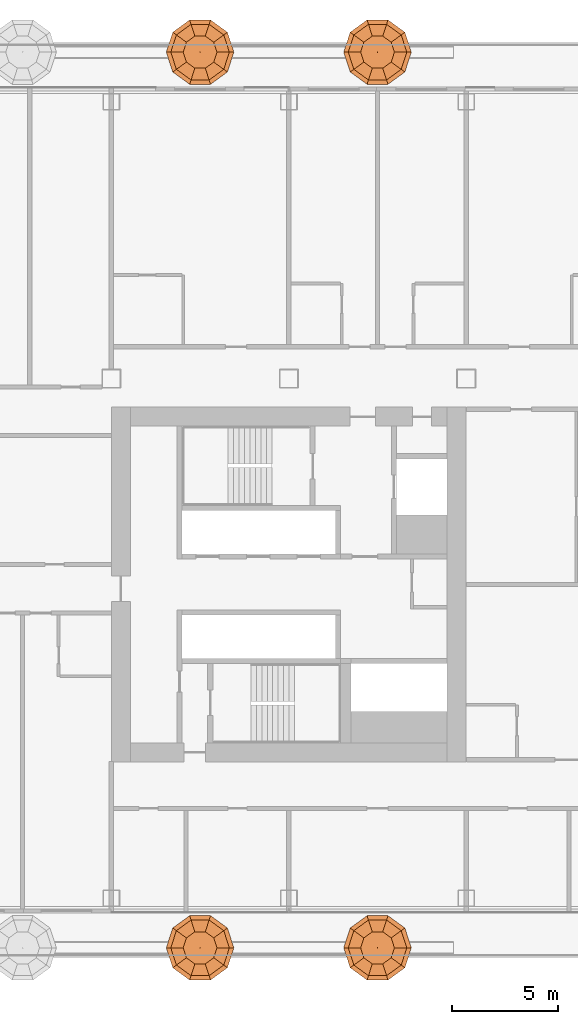
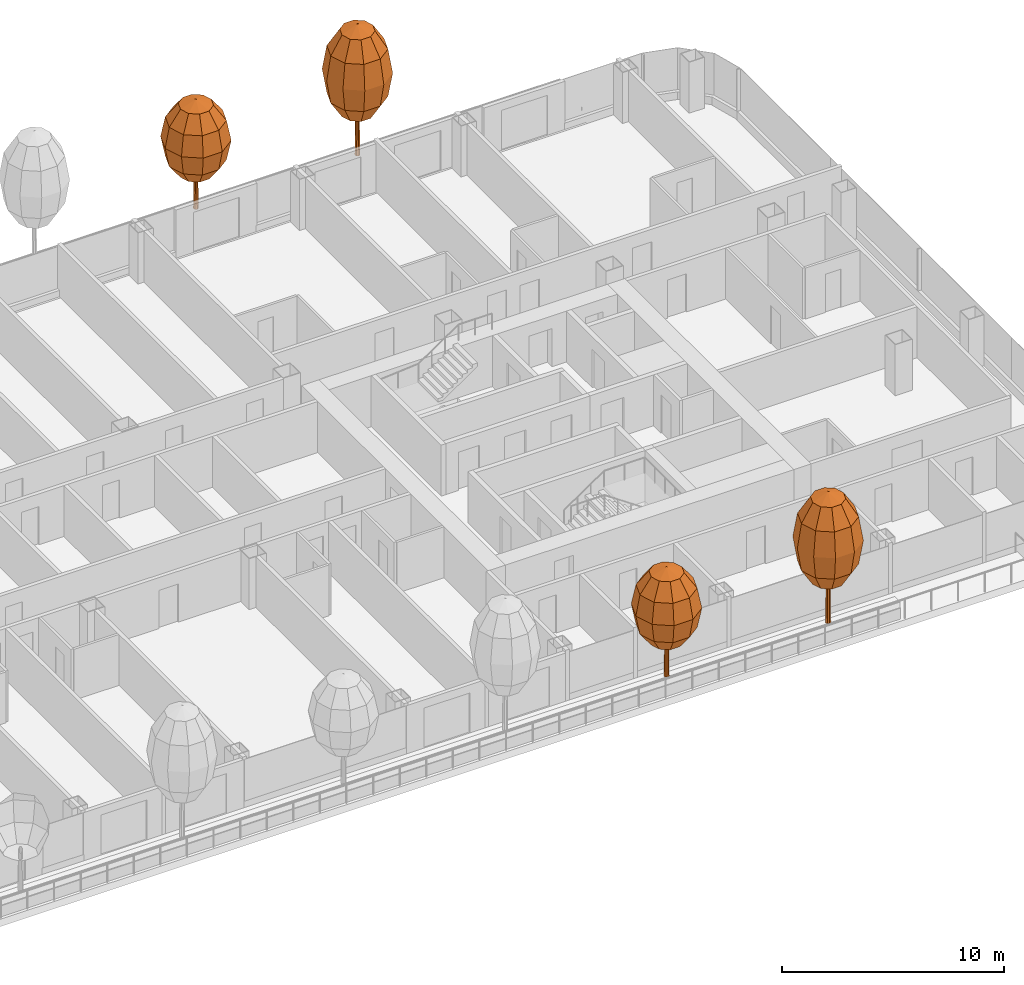
# One storey, part 33 of 33: 4 geographic elements.
"""IFC4 building model written with IfcOpenShell, lengths in metres."""

import ifcopenshell
import ifcopenshell.guid

model = None  # the IFC model being written
_history = None  # IfcOwnerHistory: only IFC2X3 demands one
_inside = {}  # id of a spatial element -> (the spatial element, [elements in it])
_under = {}  # id of a project, library or spatial element -> (it, [spatial elements below it])
_declared = {}  # id of a project -> (the project, [libraries it declares])
_typed = {}  # id of a type object -> (the type object, [elements of that type])
_made_of = {}  # id of a material, layer set ... -> (it, [elements and type objects made of it])


def new_model(schema):
    """Start an empty IFC model of exactly this schema.

    Asked for "IFC4X3", IfcOpenShell would pick the latest addendum, in which some entities
    have other attributes; the version numbers below select the first issue.
    IFC2X3 requires an IfcOwnerHistory on every rooted entity: one is made here for all.
    """
    global model, _history
    if schema == "IFC4X3":
        model = ifcopenshell.file(schema_version=(4, 3, 0, 0))
    else:
        model = ifcopenshell.file(schema=schema)
    _inside.clear()
    _under.clear()
    _declared.clear()
    _typed.clear()
    _made_of.clear()
    _history = None
    if model.schema == "IFC2X3":
        org = make("IfcOrganization", Name="unknown")
        user = make(
            "IfcPersonAndOrganization",
            ThePerson=make("IfcPerson", FamilyName="unknown"),
            TheOrganization=org,
        )
        app = make(
            "IfcApplication",
            ApplicationDeveloper=org,
            Version="unknown",
            ApplicationFullName="unknown",
            ApplicationIdentifier="unknown",
        )
        _history = make(
            "IfcOwnerHistory",
            OwningUser=user,
            OwningApplication=app,
            ChangeAction="ADDED",
            CreationDate=0,
        )
    return model


def make(cls, **values):
    """One entity of the class cls with the attributes given. An attribute that is None is left unset."""
    return model.create_entity(
        cls, **{name: value for name, value in values.items() if value is not None}
    )


def rooted(cls, **values):
    """An entity with a GlobalId (a new one), such as an element, a storey or a relation."""
    return make(cls, GlobalId=ifcopenshell.guid.new(), OwnerHistory=_history, **values)


def si_unit(unit_type, name, prefix=None):
    """IfcSIUnit, for example si_unit("LENGTHUNIT", "METRE", prefix="MILLI")."""
    return make("IfcSIUnit", UnitType=unit_type, Prefix=prefix, Name=name)


def assignment(units):
    """IfcUnitAssignment: the units of a project."""
    return None if units is None else make("IfcUnitAssignment", Units=units)


def point(xyz):
    """IfcCartesianPoint."""
    return None if xyz is None else make("IfcCartesianPoint", Coordinates=xyz)


def direction(xyz):
    """IfcDirection."""
    return None if xyz is None else make("IfcDirection", DirectionRatios=xyz)


def frame(location, z_axis=None, x_axis=None):
    """IfcAxis2Placement3D, a coordinate frame: its origin and axes. An axis left out is left unset."""
    return make(
        "IfcAxis2Placement3D",
        Location=point(location),
        Axis=direction(z_axis),
        RefDirection=direction(x_axis),
    )


def origin():
    """The frame at (0, 0, 0) with its axes left unset."""
    return frame((0.0, 0.0, 0.0))


def place(relative_to, where):
    """IfcLocalPlacement: puts the frame where relative to a parent placement (None: the world)."""
    return make(
        "IfcLocalPlacement", PlacementRelTo=relative_to, RelativePlacement=where
    )


def context(
    kind, dimensions, precision=None, world=None, true_north=None, identifier=None
):
    """IfcGeometricRepresentationContext, for example the 3D "Model" context."""
    return make(
        "IfcGeometricRepresentationContext",
        ContextIdentifier=identifier,
        ContextType=kind,
        CoordinateSpaceDimension=dimensions,
        Precision=precision,
        WorldCoordinateSystem=world,
        TrueNorth=true_north,
    )


def subcontext(parent, identifier, kind, view, scale=None):
    """IfcGeometricRepresentationSubContext, for example "Body" below "Model"."""
    return make(
        "IfcGeometricRepresentationSubContext",
        ContextIdentifier=identifier,
        ContextType=kind,
        ParentContext=parent,
        TargetScale=scale,
        TargetView=view,
    )


def project(units=None, contexts=None):
    """IfcProject with its units and contexts."""
    return rooted(
        "IfcProject",
        Name="project",
        RepresentationContexts=contexts,
        UnitsInContext=assignment(units),
    )


def spatial(cls, under=None, at=None, **own):
    """A site, building, storey or space (cls), placed at a placement, below another one or the project."""
    s = rooted(cls, ObjectPlacement=at, **own)
    if under is not None:
        _under.setdefault(under.id(), (under, []))[1].append(s)
    return s


def point_list(points):
    """IfcCartesianPointList2D or 3D."""
    cls = (
        "IfcCartesianPointList2D" if len(points[0]) == 2 else "IfcCartesianPointList3D"
    )
    return make(cls, CoordList=points)


def triangles(points, corners, closed=None, point_numbers=None):
    """IfcTriangulatedFaceSet: each triangle names its three corners, points numbered from 1."""
    return make(
        "IfcTriangulatedFaceSet",
        Coordinates=point_list(points),
        Closed=closed,
        CoordIndex=corners,
        PnIndex=point_numbers,
    )


def shape(context_of_items, identifier, shape_type, items):
    """IfcShapeRepresentation: the items that make up one representation, for example the "Body"."""
    return make(
        "IfcShapeRepresentation",
        ContextOfItems=context_of_items,
        RepresentationIdentifier=identifier,
        RepresentationType=shape_type,
        Items=items,
    )


def material(Name=None, Category=None):
    """IfcMaterial."""
    return make("IfcMaterial", Name=Name, Category=Category)


def made_of(thing, what):
    """Note that an element or type object is made of a material, layer set ...; save() writes the relation."""
    if what is not None:
        _made_of.setdefault(what.id(), (what, []))[1].append(thing)
    return thing


def type_object(cls, material=None, **own):
    """A type object (cls), such as IfcWallType, which elements share."""
    return made_of(rooted(cls, **own), material)


def element(
    cls,
    number,
    at=None,
    inside=None,
    cuts=None,
    type_object=None,
    material=None,
    context=None,
    identifier="Body",
    shape_type=None,
    held_by="IfcProductDefinitionShape",
    body=None,
    shapes=None,
    **own,
):
    """One element of the class cls, such as IfcWall. Its Tag is "e" and its number.

    at: its placement. inside: the storey or other place that contains it. cuts: it is an
    opening in that element (IfcRelVoidsElement). A single representation is given by context,
    identifier, shape_type and body (its items); several are given by shapes. held_by: the class
    of the entity that holds the representations. save() writes the other relations.
    """
    e = rooted(cls, Tag="e%d" % number, ObjectPlacement=at, **own)
    if body is not None:
        shapes = [shape(context, identifier, shape_type, body)]
    if shapes is not None:
        e.Representation = make(held_by, Representations=shapes)
    if inside is not None:
        _inside.setdefault(inside.id(), (inside, []))[1].append(e)
    if cuts is not None:
        rooted(
            "IfcRelVoidsElement", RelatingBuildingElement=cuts, RelatedOpeningElement=e
        )
    if type_object is not None:
        _typed.setdefault(type_object.id(), (type_object, []))[1].append(e)
    return made_of(e, material)


def aggregate(whole, parts):
    """IfcRelAggregates: a whole, such as a stair, and the parts it consists of."""
    return rooted("IfcRelAggregates", RelatingObject=whole, RelatedObjects=parts)


def save(model, path):
    """Write the relations noted so far, then the file.

    IfcRelAggregates (storeys below a building ...), IfcRelContainedInSpatialStructure (elements
    in a storey), IfcRelDefinesByType, IfcRelAssociatesMaterial and IfcRelDeclares: one each for
    every whole, place, type object, material and project.
    """
    for whole, parts in _under.values():
        aggregate(whole, parts)
    for where, things in _inside.values():
        rooted(
            "IfcRelContainedInSpatialStructure",
            RelatedElements=things,
            RelatingStructure=where,
        )
    for kind, things in _typed.values():
        rooted("IfcRelDefinesByType", RelatedObjects=things, RelatingType=kind)
    for what, things in _made_of.values():
        rooted("IfcRelAssociatesMaterial", RelatedObjects=things, RelatingMaterial=what)
    for by, libraries in _declared.values():
        rooted("IfcRelDeclares", RelatingContext=by, RelatedDefinitions=libraries)
    model.write(path)


model = new_model("IFC4")

# Units and contexts
model_context = context("Model", 3, precision=1e-05, world=origin(), true_north=direction((0.0, 1.0)))
body_context = subcontext(model_context, "Body", "Model", "MODEL_VIEW")
ifc_project = project(units=[si_unit("LENGTHUNIT", "METRE"), si_unit("AREAUNIT", "SQUARE_METRE"), si_unit("VOLUMEUNIT", "CUBIC_METRE"), si_unit("PLANEANGLEUNIT", "RADIAN"), si_unit("MASSUNIT", "GRAM", prefix="KILO")], contexts=[model_context])

# Site, building, storey
site_placement = place(None, origin())
site = spatial("IfcSite", under=ifc_project, at=site_placement, CompositionType="ELEMENT")
building_placement = place(site_placement, origin())
building = spatial("IfcBuilding", under=site, at=building_placement, Name="Hakoniwa Tower and Hamabe Station Hall", CompositionType="ELEMENT")
storey_placement = place(building_placement, frame((0.0, 0.0, 81.800048828125)))
storey = spatial("IfcBuildingStorey", under=building, at=storey_placement, Name="L22", CompositionType="ELEMENT", Elevation=81.800048828125)

# Geographic elements
ifc_material_1 = material(Name="Tree foliage")
geographic_element_type_1 = type_object("IfcGeographicElementType", Name="Japanese maple 7.2 m", PredefinedType="USERDEFINED", material=ifc_material_1)
geographic_element_1_placement = place(storey_placement, frame((29.39990234375, 25.199951171875, 0.89990234375)))
element("IfcGeographicElement", 1, at=geographic_element_1_placement, inside=storey, type_object=geographic_element_type_1, Name="Japanese maple 7-2 m", ObjectType="TREE", PredefinedType="USERDEFINED", context=body_context, shape_type="Tessellation", body=[
    triangles([(0.125, 0.0, 0.0), (0.08837890625, 0.08837890625, 0.0), (0.0, 0.125, 0.0), (-0.08837890625, 0.08837890625, 0.0), (-0.125, 0.0, 0.0), (-0.08837890625, -0.08837890625, 0.0), (0.0, -0.125, 0.0), (0.08837890625, -0.08837890625, 0.0), (0.074951171875, 0.0, 4.348876953125), (0.052978515625, 0.052978515625, 4.348876953125), (0.0, 0.074951171875, 4.348876953125), (-0.052978515625, 0.052978515625, 4.348876953125), (-0.074951171875, 0.0, 4.348876953125), (-0.052978515625, -0.052978515625, 4.348876953125), (0.0, -0.074951171875, 4.348876953125), (0.052978515625, -0.052978515625, 4.348876953125), (0.0, 0.0, 0.0), (0.0, 0.0, 4.348876953125)], [[1, 2, 10], [1, 10, 9], [17, 2, 1], [18, 9, 10], [2, 3, 11], [2, 11, 10], [17, 3, 2], [18, 10, 11], [3, 4, 12], [3, 12, 11], [17, 4, 3], [18, 11, 12], [4, 5, 13], [4, 13, 12], [17, 5, 4], [18, 12, 13], [5, 6, 14], [5, 14, 13], [17, 6, 5], [18, 13, 14], [6, 7, 15], [6, 15, 14], [17, 7, 6], [18, 14, 15], [7, 8, 16], [7, 16, 15], [17, 8, 7], [18, 15, 16], [8, 1, 9], [8, 9, 16], [17, 1, 8], [18, 16, 9]], closed=True),
    triangles([(0.0, 0.0, 2.015869140625), (0.800048828125, 0.0, 2.36328125), (0.647216796875, 0.47021484375, 2.36328125), (0.247314453125, 0.7607421875, 2.36328125), (-0.247314453125, 0.7607421875, 2.36328125), (-0.647216796875, 0.47021484375, 2.36328125), (-0.800048828125, 0.0, 2.36328125), (-0.647216796875, -0.47021484375, 2.36328125), (-0.247314453125, -0.7607421875, 2.36328125), (0.247314453125, -0.7607421875, 2.36328125), (0.647216796875, -0.47021484375, 2.36328125), (1.385498046875, 0.0, 3.31201171875), (1.12109375, 0.814453125, 3.31201171875), (0.42822265625, 1.31787109375, 3.31201171875), (-0.42822265625, 1.31787109375, 3.31201171875), (-1.12109375, 0.814453125, 3.31201171875), (-1.385498046875, 0.0, 3.31201171875), (-1.12109375, -0.814453125, 3.31201171875), (-0.42822265625, -1.31787109375, 3.31201171875), (0.42822265625, -1.31787109375, 3.31201171875), (1.12109375, -0.814453125, 3.31201171875), (1.60009765625, 0.0, 4.60791015625), (1.29443359375, 0.9404296875, 4.60791015625), (0.494384765625, 1.521728515625, 4.60791015625), (-0.494384765625, 1.521728515625, 4.60791015625), (-1.29443359375, 0.9404296875, 4.60791015625), (-1.60009765625, 0.0, 4.60791015625), (-1.29443359375, -0.9404296875, 4.60791015625), (-0.494384765625, -1.521728515625, 4.60791015625), (0.494384765625, -1.521728515625, 4.60791015625), (1.29443359375, -0.9404296875, 4.60791015625), (1.385498046875, 0.0, 5.904052734375), (1.12109375, 0.814453125, 5.904052734375), (0.42822265625, 1.31787109375, 5.904052734375), (-0.42822265625, 1.31787109375, 5.904052734375), (-1.12109375, 0.814453125, 5.904052734375), (-1.385498046875, 0.0, 5.904052734375), (-1.12109375, -0.814453125, 5.904052734375), (-0.42822265625, -1.31787109375, 5.904052734375), (0.42822265625, -1.31787109375, 5.904052734375), (1.12109375, -0.814453125, 5.904052734375), (0.800048828125, 0.0, 6.852783203125), (0.647216796875, 0.47021484375, 6.852783203125), (0.247314453125, 0.7607421875, 6.852783203125), (-0.247314453125, 0.7607421875, 6.852783203125), (-0.647216796875, 0.47021484375, 6.852783203125), (-0.800048828125, 0.0, 6.852783203125), (-0.647216796875, -0.47021484375, 6.852783203125), (-0.247314453125, -0.7607421875, 6.852783203125), (0.247314453125, -0.7607421875, 6.852783203125), (0.647216796875, -0.47021484375, 6.852783203125), (0.0, 0.0, 7.199951171875)], [[1, 3, 2], [1, 4, 3], [1, 5, 4], [1, 6, 5], [1, 7, 6], [1, 8, 7], [1, 9, 8], [1, 10, 9], [1, 11, 10], [1, 2, 11], [2, 3, 13], [2, 13, 12], [3, 4, 14], [3, 14, 13], [4, 5, 15], [4, 15, 14], [5, 6, 16], [5, 16, 15], [6, 7, 17], [6, 17, 16], [7, 8, 18], [7, 18, 17], [8, 9, 19], [8, 19, 18], [9, 10, 20], [9, 20, 19], [10, 11, 21], [10, 21, 20], [11, 2, 12], [11, 12, 21], [12, 13, 23], [12, 23, 22], [13, 14, 24], [13, 24, 23], [14, 15, 25], [14, 25, 24], [15, 16, 26], [15, 26, 25], [16, 17, 27], [16, 27, 26], [17, 18, 28], [17, 28, 27], [18, 19, 29], [18, 29, 28], [19, 20, 30], [19, 30, 29], [20, 21, 31], [20, 31, 30], [21, 12, 22], [21, 22, 31], [22, 23, 33], [22, 33, 32], [23, 24, 34], [23, 34, 33], [24, 25, 35], [24, 35, 34], [25, 26, 36], [25, 36, 35], [26, 27, 37], [26, 37, 36], [27, 28, 38], [27, 38, 37], [28, 29, 39], [28, 39, 38], [29, 30, 40], [29, 40, 39], [30, 31, 41], [30, 41, 40], [31, 22, 32], [31, 32, 41], [32, 33, 43], [32, 43, 42], [33, 34, 44], [33, 44, 43], [34, 35, 45], [34, 45, 44], [35, 36, 46], [35, 46, 45], [36, 37, 47], [36, 47, 46], [37, 38, 48], [37, 48, 47], [38, 39, 49], [38, 49, 48], [39, 40, 50], [39, 50, 49], [40, 41, 51], [40, 51, 50], [41, 32, 42], [41, 42, 51], [52, 42, 43], [52, 43, 44], [52, 44, 45], [52, 45, 46], [52, 46, 47], [52, 47, 48], [52, 48, 49], [52, 49, 50], [52, 50, 51], [52, 51, 42]], closed=True),
])
geographic_element_2_placement = place(storey_placement, frame((29.39990234375, -17.199951171875, 0.89990234375)))
element("IfcGeographicElement", 2, at=geographic_element_2_placement, inside=storey, type_object=geographic_element_type_1, Name="Japanese maple 7-2 m", ObjectType="TREE", PredefinedType="USERDEFINED", context=body_context, shape_type="Tessellation", body=[
    triangles([(0.125, 0.0, 0.0), (0.08837890625, 0.08837890625, 0.0), (0.0, 0.125, 0.0), (-0.08837890625, 0.08837890625, 0.0), (-0.125, 0.0, 0.0), (-0.08837890625, -0.08837890625, 0.0), (0.0, -0.125, 0.0), (0.08837890625, -0.08837890625, 0.0), (0.074951171875, 0.0, 4.348876953125), (0.052978515625, 0.052978515625, 4.348876953125), (0.0, 0.074951171875, 4.348876953125), (-0.052978515625, 0.052978515625, 4.348876953125), (-0.074951171875, 0.0, 4.348876953125), (-0.052978515625, -0.052978515625, 4.348876953125), (0.0, -0.074951171875, 4.348876953125), (0.052978515625, -0.052978515625, 4.348876953125), (0.0, 0.0, 0.0), (0.0, 0.0, 4.348876953125)], [[1, 2, 10], [1, 10, 9], [17, 2, 1], [18, 9, 10], [2, 3, 11], [2, 11, 10], [17, 3, 2], [18, 10, 11], [3, 4, 12], [3, 12, 11], [17, 4, 3], [18, 11, 12], [4, 5, 13], [4, 13, 12], [17, 5, 4], [18, 12, 13], [5, 6, 14], [5, 14, 13], [17, 6, 5], [18, 13, 14], [6, 7, 15], [6, 15, 14], [17, 7, 6], [18, 14, 15], [7, 8, 16], [7, 16, 15], [17, 8, 7], [18, 15, 16], [8, 1, 9], [8, 9, 16], [17, 1, 8], [18, 16, 9]], closed=True),
    triangles([(0.0, 0.0, 2.015869140625), (0.800048828125, 0.0, 2.36328125), (0.647216796875, 0.47021484375, 2.36328125), (0.247314453125, 0.7607421875, 2.36328125), (-0.247314453125, 0.7607421875, 2.36328125), (-0.647216796875, 0.47021484375, 2.36328125), (-0.800048828125, 0.0, 2.36328125), (-0.647216796875, -0.47021484375, 2.36328125), (-0.247314453125, -0.7607421875, 2.36328125), (0.247314453125, -0.7607421875, 2.36328125), (0.647216796875, -0.47021484375, 2.36328125), (1.385498046875, 0.0, 3.31201171875), (1.12109375, 0.814453125, 3.31201171875), (0.42822265625, 1.31787109375, 3.31201171875), (-0.42822265625, 1.31787109375, 3.31201171875), (-1.12109375, 0.814453125, 3.31201171875), (-1.385498046875, 0.0, 3.31201171875), (-1.12109375, -0.814453125, 3.31201171875), (-0.42822265625, -1.31787109375, 3.31201171875), (0.42822265625, -1.31787109375, 3.31201171875), (1.12109375, -0.814453125, 3.31201171875), (1.60009765625, 0.0, 4.60791015625), (1.29443359375, 0.9404296875, 4.60791015625), (0.494384765625, 1.521728515625, 4.60791015625), (-0.494384765625, 1.521728515625, 4.60791015625), (-1.29443359375, 0.9404296875, 4.60791015625), (-1.60009765625, 0.0, 4.60791015625), (-1.29443359375, -0.9404296875, 4.60791015625), (-0.494384765625, -1.521728515625, 4.60791015625), (0.494384765625, -1.521728515625, 4.60791015625), (1.29443359375, -0.9404296875, 4.60791015625), (1.385498046875, 0.0, 5.904052734375), (1.12109375, 0.814453125, 5.904052734375), (0.42822265625, 1.31787109375, 5.904052734375), (-0.42822265625, 1.31787109375, 5.904052734375), (-1.12109375, 0.814453125, 5.904052734375), (-1.385498046875, 0.0, 5.904052734375), (-1.12109375, -0.814453125, 5.904052734375), (-0.42822265625, -1.31787109375, 5.904052734375), (0.42822265625, -1.31787109375, 5.904052734375), (1.12109375, -0.814453125, 5.904052734375), (0.800048828125, 0.0, 6.852783203125), (0.647216796875, 0.47021484375, 6.852783203125), (0.247314453125, 0.7607421875, 6.852783203125), (-0.247314453125, 0.7607421875, 6.852783203125), (-0.647216796875, 0.47021484375, 6.852783203125), (-0.800048828125, 0.0, 6.852783203125), (-0.647216796875, -0.47021484375, 6.852783203125), (-0.247314453125, -0.7607421875, 6.852783203125), (0.247314453125, -0.7607421875, 6.852783203125), (0.647216796875, -0.47021484375, 6.852783203125), (0.0, 0.0, 7.199951171875)], [[1, 3, 2], [1, 4, 3], [1, 5, 4], [1, 6, 5], [1, 7, 6], [1, 8, 7], [1, 9, 8], [1, 10, 9], [1, 11, 10], [1, 2, 11], [2, 3, 13], [2, 13, 12], [3, 4, 14], [3, 14, 13], [4, 5, 15], [4, 15, 14], [5, 6, 16], [5, 16, 15], [6, 7, 17], [6, 17, 16], [7, 8, 18], [7, 18, 17], [8, 9, 19], [8, 19, 18], [9, 10, 20], [9, 20, 19], [10, 11, 21], [10, 21, 20], [11, 2, 12], [11, 12, 21], [12, 13, 23], [12, 23, 22], [13, 14, 24], [13, 24, 23], [14, 15, 25], [14, 25, 24], [15, 16, 26], [15, 26, 25], [16, 17, 27], [16, 27, 26], [17, 18, 28], [17, 28, 27], [18, 19, 29], [18, 29, 28], [19, 20, 30], [19, 30, 29], [20, 21, 31], [20, 31, 30], [21, 12, 22], [21, 22, 31], [22, 23, 33], [22, 33, 32], [23, 24, 34], [23, 34, 33], [24, 25, 35], [24, 35, 34], [25, 26, 36], [25, 36, 35], [26, 27, 37], [26, 37, 36], [27, 28, 38], [27, 38, 37], [28, 29, 39], [28, 39, 38], [29, 30, 40], [29, 40, 39], [30, 31, 41], [30, 41, 40], [31, 22, 32], [31, 32, 41], [32, 33, 43], [32, 43, 42], [33, 34, 44], [33, 44, 43], [34, 35, 45], [34, 45, 44], [35, 36, 46], [35, 46, 45], [36, 37, 47], [36, 47, 46], [37, 38, 48], [37, 48, 47], [38, 39, 49], [38, 49, 48], [39, 40, 50], [39, 50, 49], [40, 41, 51], [40, 51, 50], [41, 32, 42], [41, 42, 51], [52, 42, 43], [52, 43, 44], [52, 44, 45], [52, 45, 46], [52, 46, 47], [52, 47, 48], [52, 48, 49], [52, 49, 50], [52, 50, 51], [52, 51, 42]], closed=True),
])
ifc_material_2 = material(Name="Tree foliage")
geographic_element_type_2 = type_object("IfcGeographicElementType", Name="Osmanthus 6.0 m", PredefinedType="USERDEFINED", material=ifc_material_2)
geographic_element_3_placement = place(storey_placement, frame((21.0, 25.199951171875, 0.89990234375)))
element("IfcGeographicElement", 3, at=geographic_element_3_placement, inside=storey, type_object=geographic_element_type_2, Name="Osmanthus 6-0 m", ObjectType="TREE", PredefinedType="USERDEFINED", context=body_context, shape_type="Tessellation", body=[
    triangles([(0.125, 0.0, 0.0), (0.08837890625, 0.08837890625, 0.0), (0.0, 0.125, 0.0), (-0.08837890625, 0.08837890625, 0.0), (-0.125, 0.0, 0.0), (-0.08837890625, -0.08837890625, 0.0), (0.0, -0.125, 0.0), (0.08837890625, -0.08837890625, 0.0), (0.074951171875, 0.0, 3.6240234375), (0.052978515625, 0.052978515625, 3.6240234375), (0.0, 0.074951171875, 3.6240234375), (-0.052978515625, 0.052978515625, 3.6240234375), (-0.074951171875, 0.0, 3.6240234375), (-0.052978515625, -0.052978515625, 3.6240234375), (0.0, -0.074951171875, 3.6240234375), (0.052978515625, -0.052978515625, 3.6240234375), (0.0, 0.0, 0.0), (0.0, 0.0, 3.6240234375)], [[1, 2, 10], [1, 10, 9], [17, 2, 1], [18, 9, 10], [2, 3, 11], [2, 11, 10], [17, 3, 2], [18, 10, 11], [3, 4, 12], [3, 12, 11], [17, 4, 3], [18, 11, 12], [4, 5, 13], [4, 13, 12], [17, 5, 4], [18, 12, 13], [5, 6, 14], [5, 14, 13], [17, 6, 5], [18, 13, 14], [6, 7, 15], [6, 15, 14], [17, 7, 6], [18, 14, 15], [7, 8, 16], [7, 16, 15], [17, 8, 7], [18, 15, 16], [8, 1, 9], [8, 9, 16], [17, 1, 8], [18, 16, 9]], closed=True),
    triangles([(0.0, 0.0, 1.679931640625), (0.800048828125, 0.0, 1.969482421875), (0.647216796875, 0.47021484375, 1.969482421875), (0.247314453125, 0.7607421875, 1.969482421875), (-0.247314453125, 0.7607421875, 1.969482421875), (-0.647216796875, 0.47021484375, 1.969482421875), (-0.800048828125, 0.0, 1.969482421875), (-0.647216796875, -0.47021484375, 1.969482421875), (-0.247314453125, -0.7607421875, 1.969482421875), (0.247314453125, -0.7607421875, 1.969482421875), (0.647216796875, -0.47021484375, 1.969482421875), (1.385498046875, 0.0, 2.760009765625), (1.12109375, 0.814453125, 2.760009765625), (0.42822265625, 1.31787109375, 2.760009765625), (-0.42822265625, 1.31787109375, 2.760009765625), (-1.12109375, 0.814453125, 2.760009765625), (-1.385498046875, 0.0, 2.760009765625), (-1.12109375, -0.814453125, 2.760009765625), (-0.42822265625, -1.31787109375, 2.760009765625), (0.42822265625, -1.31787109375, 2.760009765625), (1.12109375, -0.814453125, 2.760009765625), (1.60009765625, 0.0, 3.840087890625), (1.29443359375, 0.9404296875, 3.840087890625), (0.494384765625, 1.521728515625, 3.840087890625), (-0.494384765625, 1.521728515625, 3.840087890625), (-1.29443359375, 0.9404296875, 3.840087890625), (-1.60009765625, 0.0, 3.840087890625), (-1.29443359375, -0.9404296875, 3.840087890625), (-0.494384765625, -1.521728515625, 3.840087890625), (0.494384765625, -1.521728515625, 3.840087890625), (1.29443359375, -0.9404296875, 3.840087890625), (1.385498046875, 0.0, 4.919921875), (1.12109375, 0.814453125, 4.919921875), (0.42822265625, 1.31787109375, 4.919921875), (-0.42822265625, 1.31787109375, 4.919921875), (-1.12109375, 0.814453125, 4.919921875), (-1.385498046875, 0.0, 4.919921875), (-1.12109375, -0.814453125, 4.919921875), (-0.42822265625, -1.31787109375, 4.919921875), (0.42822265625, -1.31787109375, 4.919921875), (1.12109375, -0.814453125, 4.919921875), (0.800048828125, 0.0, 5.710693359375), (0.647216796875, 0.47021484375, 5.710693359375), (0.247314453125, 0.7607421875, 5.710693359375), (-0.247314453125, 0.7607421875, 5.710693359375), (-0.647216796875, 0.47021484375, 5.710693359375), (-0.800048828125, 0.0, 5.710693359375), (-0.647216796875, -0.47021484375, 5.710693359375), (-0.247314453125, -0.7607421875, 5.710693359375), (0.247314453125, -0.7607421875, 5.710693359375), (0.647216796875, -0.47021484375, 5.710693359375), (0.0, 0.0, 6.0)], [[1, 3, 2], [1, 4, 3], [1, 5, 4], [1, 6, 5], [1, 7, 6], [1, 8, 7], [1, 9, 8], [1, 10, 9], [1, 11, 10], [1, 2, 11], [2, 3, 13], [2, 13, 12], [3, 4, 14], [3, 14, 13], [4, 5, 15], [4, 15, 14], [5, 6, 16], [5, 16, 15], [6, 7, 17], [6, 17, 16], [7, 8, 18], [7, 18, 17], [8, 9, 19], [8, 19, 18], [9, 10, 20], [9, 20, 19], [10, 11, 21], [10, 21, 20], [11, 2, 12], [11, 12, 21], [12, 13, 23], [12, 23, 22], [13, 14, 24], [13, 24, 23], [14, 15, 25], [14, 25, 24], [15, 16, 26], [15, 26, 25], [16, 17, 27], [16, 27, 26], [17, 18, 28], [17, 28, 27], [18, 19, 29], [18, 29, 28], [19, 20, 30], [19, 30, 29], [20, 21, 31], [20, 31, 30], [21, 12, 22], [21, 22, 31], [22, 23, 33], [22, 33, 32], [23, 24, 34], [23, 34, 33], [24, 25, 35], [24, 35, 34], [25, 26, 36], [25, 36, 35], [26, 27, 37], [26, 37, 36], [27, 28, 38], [27, 38, 37], [28, 29, 39], [28, 39, 38], [29, 30, 40], [29, 40, 39], [30, 31, 41], [30, 41, 40], [31, 22, 32], [31, 32, 41], [32, 33, 43], [32, 43, 42], [33, 34, 44], [33, 44, 43], [34, 35, 45], [34, 45, 44], [35, 36, 46], [35, 46, 45], [36, 37, 47], [36, 47, 46], [37, 38, 48], [37, 48, 47], [38, 39, 49], [38, 49, 48], [39, 40, 50], [39, 50, 49], [40, 41, 51], [40, 51, 50], [41, 32, 42], [41, 42, 51], [52, 42, 43], [52, 43, 44], [52, 44, 45], [52, 45, 46], [52, 46, 47], [52, 47, 48], [52, 48, 49], [52, 49, 50], [52, 50, 51], [52, 51, 42]], closed=True),
])
geographic_element_4_placement = place(storey_placement, frame((21.0, -17.199951171875, 0.89990234375)))
element("IfcGeographicElement", 4, at=geographic_element_4_placement, inside=storey, type_object=geographic_element_type_2, Name="Osmanthus 6-0 m", ObjectType="TREE", PredefinedType="USERDEFINED", context=body_context, shape_type="Tessellation", body=[
    triangles([(0.125, 0.0, 0.0), (0.08837890625, 0.08837890625, 0.0), (0.0, 0.125, 0.0), (-0.08837890625, 0.08837890625, 0.0), (-0.125, 0.0, 0.0), (-0.08837890625, -0.08837890625, 0.0), (0.0, -0.125, 0.0), (0.08837890625, -0.08837890625, 0.0), (0.074951171875, 0.0, 3.6240234375), (0.052978515625, 0.052978515625, 3.6240234375), (0.0, 0.074951171875, 3.6240234375), (-0.052978515625, 0.052978515625, 3.6240234375), (-0.074951171875, 0.0, 3.6240234375), (-0.052978515625, -0.052978515625, 3.6240234375), (0.0, -0.074951171875, 3.6240234375), (0.052978515625, -0.052978515625, 3.6240234375), (0.0, 0.0, 0.0), (0.0, 0.0, 3.6240234375)], [[1, 2, 10], [1, 10, 9], [17, 2, 1], [18, 9, 10], [2, 3, 11], [2, 11, 10], [17, 3, 2], [18, 10, 11], [3, 4, 12], [3, 12, 11], [17, 4, 3], [18, 11, 12], [4, 5, 13], [4, 13, 12], [17, 5, 4], [18, 12, 13], [5, 6, 14], [5, 14, 13], [17, 6, 5], [18, 13, 14], [6, 7, 15], [6, 15, 14], [17, 7, 6], [18, 14, 15], [7, 8, 16], [7, 16, 15], [17, 8, 7], [18, 15, 16], [8, 1, 9], [8, 9, 16], [17, 1, 8], [18, 16, 9]], closed=True),
    triangles([(0.0, 0.0, 1.679931640625), (0.800048828125, 0.0, 1.969482421875), (0.647216796875, 0.47021484375, 1.969482421875), (0.247314453125, 0.7607421875, 1.969482421875), (-0.247314453125, 0.7607421875, 1.969482421875), (-0.647216796875, 0.47021484375, 1.969482421875), (-0.800048828125, 0.0, 1.969482421875), (-0.647216796875, -0.47021484375, 1.969482421875), (-0.247314453125, -0.7607421875, 1.969482421875), (0.247314453125, -0.7607421875, 1.969482421875), (0.647216796875, -0.47021484375, 1.969482421875), (1.385498046875, 0.0, 2.760009765625), (1.12109375, 0.814453125, 2.760009765625), (0.42822265625, 1.31787109375, 2.760009765625), (-0.42822265625, 1.31787109375, 2.760009765625), (-1.12109375, 0.814453125, 2.760009765625), (-1.385498046875, 0.0, 2.760009765625), (-1.12109375, -0.814453125, 2.760009765625), (-0.42822265625, -1.31787109375, 2.760009765625), (0.42822265625, -1.31787109375, 2.760009765625), (1.12109375, -0.814453125, 2.760009765625), (1.60009765625, 0.0, 3.840087890625), (1.29443359375, 0.9404296875, 3.840087890625), (0.494384765625, 1.521728515625, 3.840087890625), (-0.494384765625, 1.521728515625, 3.840087890625), (-1.29443359375, 0.9404296875, 3.840087890625), (-1.60009765625, 0.0, 3.840087890625), (-1.29443359375, -0.9404296875, 3.840087890625), (-0.494384765625, -1.521728515625, 3.840087890625), (0.494384765625, -1.521728515625, 3.840087890625), (1.29443359375, -0.9404296875, 3.840087890625), (1.385498046875, 0.0, 4.919921875), (1.12109375, 0.814453125, 4.919921875), (0.42822265625, 1.31787109375, 4.919921875), (-0.42822265625, 1.31787109375, 4.919921875), (-1.12109375, 0.814453125, 4.919921875), (-1.385498046875, 0.0, 4.919921875), (-1.12109375, -0.814453125, 4.919921875), (-0.42822265625, -1.31787109375, 4.919921875), (0.42822265625, -1.31787109375, 4.919921875), (1.12109375, -0.814453125, 4.919921875), (0.800048828125, 0.0, 5.710693359375), (0.647216796875, 0.47021484375, 5.710693359375), (0.247314453125, 0.7607421875, 5.710693359375), (-0.247314453125, 0.7607421875, 5.710693359375), (-0.647216796875, 0.47021484375, 5.710693359375), (-0.800048828125, 0.0, 5.710693359375), (-0.647216796875, -0.47021484375, 5.710693359375), (-0.247314453125, -0.7607421875, 5.710693359375), (0.247314453125, -0.7607421875, 5.710693359375), (0.647216796875, -0.47021484375, 5.710693359375), (0.0, 0.0, 6.0)], [[1, 3, 2], [1, 4, 3], [1, 5, 4], [1, 6, 5], [1, 7, 6], [1, 8, 7], [1, 9, 8], [1, 10, 9], [1, 11, 10], [1, 2, 11], [2, 3, 13], [2, 13, 12], [3, 4, 14], [3, 14, 13], [4, 5, 15], [4, 15, 14], [5, 6, 16], [5, 16, 15], [6, 7, 17], [6, 17, 16], [7, 8, 18], [7, 18, 17], [8, 9, 19], [8, 19, 18], [9, 10, 20], [9, 20, 19], [10, 11, 21], [10, 21, 20], [11, 2, 12], [11, 12, 21], [12, 13, 23], [12, 23, 22], [13, 14, 24], [13, 24, 23], [14, 15, 25], [14, 25, 24], [15, 16, 26], [15, 26, 25], [16, 17, 27], [16, 27, 26], [17, 18, 28], [17, 28, 27], [18, 19, 29], [18, 29, 28], [19, 20, 30], [19, 30, 29], [20, 21, 31], [20, 31, 30], [21, 12, 22], [21, 22, 31], [22, 23, 33], [22, 33, 32], [23, 24, 34], [23, 34, 33], [24, 25, 35], [24, 35, 34], [25, 26, 36], [25, 36, 35], [26, 27, 37], [26, 37, 36], [27, 28, 38], [27, 38, 37], [28, 29, 39], [28, 39, 38], [29, 30, 40], [29, 40, 39], [30, 31, 41], [30, 41, 40], [31, 22, 32], [31, 32, 41], [32, 33, 43], [32, 43, 42], [33, 34, 44], [33, 44, 43], [34, 35, 45], [34, 45, 44], [35, 36, 46], [35, 46, 45], [36, 37, 47], [36, 47, 46], [37, 38, 48], [37, 48, 47], [38, 39, 49], [38, 49, 48], [39, 40, 50], [39, 50, 49], [40, 41, 51], [40, 51, 50], [41, 32, 42], [41, 42, 51], [52, 42, 43], [52, 43, 44], [52, 44, 45], [52, 45, 46], [52, 46, 47], [52, 47, 48], [52, 48, 49], [52, 49, 50], [52, 50, 51], [52, 51, 42]], closed=True),
])

save(model, "model.ifc")
